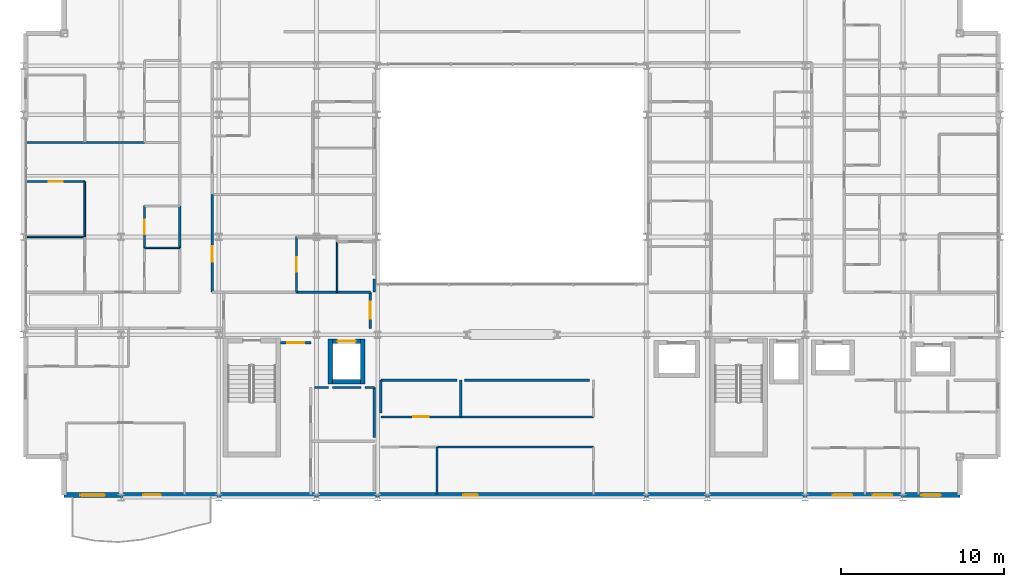
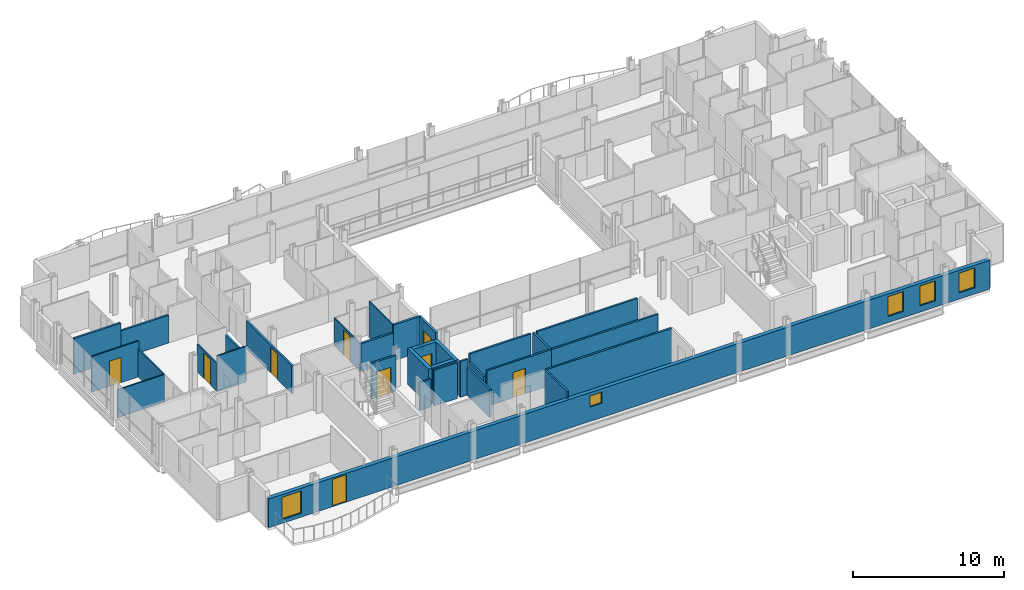
# One storey, part 32 of 40: 33 walls, 9 doors, 5 windows, 14 openings.
"""IFC4 building model written with IfcOpenShell, lengths in metres."""

from ifc_helpers import new_model, si_unit, direction, frame, frame_2d, origin, place, context, subcontext, project, spatial, rectangle, extrude, material, layer, layer_set, type_object, element, fill, save


model = new_model("IFC4")

# Units and contexts
model_context = context("Model", 3, precision=1e-05, world=origin(), true_north=direction((0.0, 1.0)))
body_context = subcontext(model_context, "Body", "Model", "MODEL_VIEW")
ifc_project = project(units=[si_unit("LENGTHUNIT", "METRE"), si_unit("AREAUNIT", "SQUARE_METRE"), si_unit("VOLUMEUNIT", "CUBIC_METRE"), si_unit("PLANEANGLEUNIT", "RADIAN"), si_unit("MASSUNIT", "GRAM", prefix="KILO")], contexts=[model_context])

# Site, building, storey
site_placement = place(None, origin())
site = spatial("IfcSite", under=ifc_project, at=site_placement, CompositionType="ELEMENT")
building_placement = place(site_placement, origin())
building = spatial("IfcBuilding", under=site, at=building_placement, Name="Brevholm Reach", CompositionType="ELEMENT")
storey_placement = place(building_placement, frame((0.0, 0.0, 119.0)))
storey = spatial("IfcBuildingStorey", under=building, at=storey_placement, Name="L35", CompositionType="ELEMENT", Elevation=119.0)

# Walls
ifc_material_1 = material(Name="Concrete C50/60", Category="concrete")
ifc_layer_1 = layer(ifc_material_1, 0.280029296875)
ifc_layer_set_1 = layer_set([ifc_layer_1], Name="Concrete C50/60")
wall_type_1 = type_object("IfcWallType", Name="WAL-COR-280", PredefinedType="SHEAR", material=ifc_layer_set_1)
for number, where, z_axis, x_axis, name in (
    (1, (18.85009765625, 6.9599609375, 0.0), (0.0, 0.0, 1.0), (0.0, 1.0, 0.0), "L35 Lift FFL-1 Shaft Wall W"),
    (2, (20.85009765625, 6.9599609375, 0.0), (0.0, 0.0, 1.0), (0.0, 1.0, 0.0), "L35 Lift FFL-1 Shaft Wall E"),
):
    element("IfcWall", number, at=place(storey_placement, frame(where, z_axis=z_axis, x_axis=x_axis)), inside=storey, type_object=wall_type_1, Name=name, PredefinedType="SHEAR", context=body_context, shape_type="SweptSolid", body=[
        extrude(rectangle(XDim=2.780029296875, YDim=0.280029296875, at=frame_2d((1.39013671875, 0.0))), origin(), (0.0, 0.0, 1.0), 2.8798828125),
    ])
wall_1_placement = place(storey_placement, frame((18.989990234375, 7.10009765625, 0.0), z_axis=(0.0, 0.0, 1.0), x_axis=(1.0, 0.0, 0.0)))
element("IfcWall", 3, at=wall_1_placement, inside=storey, type_object=wall_type_1, Name="L35 Lift FFL-1 Shaft Wall S", PredefinedType="SHEAR", context=body_context, shape_type="SweptSolid", body=[
    extrude(rectangle(XDim=1.719970703125, YDim=0.280029296875, at=frame_2d((0.85986328125, 0.0))), origin(), (0.0, 0.0, 1.0), 2.8798828125),
])

# Wall, opening, door
wall_2_placement = place(storey_placement, frame((18.989990234375, 9.60009765625, 0.0), z_axis=(0.0, 0.0, 1.0), x_axis=(1.0, 0.0, 0.0)))
wall_2 = element("IfcWall", 4, at=wall_2_placement, inside=storey, type_object=wall_type_1, Name="L35 Lift FFL-1 Shaft Wall N", PredefinedType="SHEAR", context=body_context, shape_type="SweptSolid", body=[
    extrude(rectangle(XDim=1.719970703125, YDim=0.280029296875, at=frame_2d((0.85986328125, 0.0))), origin(), (0.0, 0.0, 1.0), 2.8798828125),
])
opening_1_placement = place(wall_2_placement, frame((0.31005859375, 0.0, 0.0)))
opening_1 = element("IfcOpeningElement", 5, at=opening_1_placement, cuts=wall_2, Name="Opening LD-FFL-1", PredefinedType="OPENING", context=body_context, shape_type="SweptSolid", body=[
    extrude(rectangle(XDim=1.10009765625, YDim=2.06005859375, at=frame_2d((0.550048828125, 1.030029296875))), frame((0.0, 0.14990234375, 0.0), z_axis=(0.0, -1.0, 0.0), x_axis=(1.0, 0.0, 0.0)), (0.0, 0.0, 1.0), 0.300048828125),
])
ifc_material_2 = material(Name="Brushed Stainless Steel Fire-Rated Sliding Lift Door", Category="steel")
door_type_1 = type_object("IfcDoorType", Name="DOR-LFT-1100", OperationType="NOTDEFINED", PredefinedType="DOOR", material=ifc_material_2)
door_1_placement = place(opening_1_placement, origin())
door_1 = element("IfcDoor", 6, at=door_1_placement, inside=storey, type_object=door_type_1, Name="L35 Lift FFL-1 Sliding Landing Door", OperationType="SLIDING_TO_LEFT", OverallHeight=2.06005859375, OverallWidth=1.10009765625, PredefinedType="DOOR", context=body_context, shape_type="SweptSolid", body=[
    extrude(rectangle(XDim=1.10009765625, YDim=2.06005859375, at=frame_2d((0.550048828125, 1.030029296875))), frame((0.0, 0.02490234375, 0.0), z_axis=(0.0, -1.0, 0.0), x_axis=(1.0, 0.0, 0.0)), (0.0, 0.0, 1.0), 0.050048828125),
])
fill(opening_1, door_1)

# Wall, openings, door, windows
ifc_material_3 = material(Name="Concrete C40/50", Category="concrete")
ifc_layer_2 = layer(ifc_material_3, 0.300048828125)
ifc_layer_set_2 = layer_set([ifc_layer_2], Name="Concrete C40/50")
wall_type_2 = type_object("IfcWallType", Name="WAL-EXT-300", PredefinedType="STANDARD", material=ifc_layer_set_2)
wall_3_placement = place(storey_placement, frame((2.5, 0.14990234375, 0.0), z_axis=(0.0, 0.0, 1.0), x_axis=(1.0, 0.0, 0.0)))
wall_3 = element("IfcWall", 7, at=wall_3_placement, inside=storey, type_object=wall_type_2, Name="L35 Facade Wall WAL-L35-S", PredefinedType="STANDARD", context=body_context, shape_type="SweptSolid", body=[
    extrude(rectangle(XDim=55.0, YDim=0.300048828125, at=frame_2d((27.5, 0.0))), origin(), (0.0, 0.0, 1.0), 2.322021484375),
])
opening_2_placement = place(wall_3_placement, frame((4.85009765625, 0.0, 0.0)))
opening_2 = element("IfcOpeningElement", 8, at=opening_2_placement, cuts=wall_3, Name="Opening BD-01", PredefinedType="OPENING", context=body_context, shape_type="SweptSolid", body=[
    extrude(rectangle(XDim=1.10009765625, YDim=2.199951171875, at=frame_2d((0.550048828125, 1.10009765625))), frame((0.0, 0.159912109375, 0.0), z_axis=(0.0, -1.0, 0.0), x_axis=(1.0, 0.0, 0.0)), (0.0, 0.0, 1.0), 0.320068359375),
])
opening_3_placement = place(wall_3_placement, frame((1.0, 0.0, 0.302001953125)))
opening_3 = element("IfcOpeningElement", 9, at=opening_3_placement, cuts=wall_3, Name="Opening WN-05", PredefinedType="OPENING", context=body_context, shape_type="SweptSolid", body=[
    extrude(rectangle(XDim=1.5, YDim=1.800048828125, at=frame_2d((0.75, 0.89990234375))), frame((0.0, 0.159912109375, 0.0), z_axis=(0.0, -1.0, 0.0), x_axis=(1.0, 0.0, 0.0)), (0.0, 0.0, 1.0), 0.320068359375),
])
opening_4_placement = place(wall_3_placement, frame((24.5, 0.0, 1.14990234375)))
opening_4 = element("IfcOpeningElement", 10, at=opening_4_placement, cuts=wall_3, Name="Opening WN-09", PredefinedType="OPENING", context=body_context, shape_type="SweptSolid", body=[
    extrude(rectangle(XDim=0.89990234375, YDim=0.89990234375, at=frame_2d((0.449951171875, 0.449951171875))), frame((0.0, 0.159912109375, 0.0), z_axis=(0.0, -1.0, 0.0), x_axis=(1.0, 0.0, 0.0)), (0.0, 0.0, 1.0), 0.320068359375),
])
opening_5_placement = place(wall_3_placement, frame((47.199951171875, 0.0, 0.501953125)))
opening_5 = element("IfcOpeningElement", 11, at=opening_5_placement, cuts=wall_3, Name="Opening WN-08", PredefinedType="OPENING", context=body_context, shape_type="SweptSolid", body=[
    extrude(rectangle(XDim=1.199951171875, YDim=1.60009765625, at=frame_2d((0.60009765625, 0.800048828125))), frame((0.0, 0.159912109375, 0.0), z_axis=(0.0, -1.0, 0.0), x_axis=(1.0, 0.0, 0.0)), (0.0, 0.0, 1.0), 0.320068359375),
])
opening_6_placement = place(wall_3_placement, frame((52.6298828125, 0.0, 0.501953125)))
opening_6 = element("IfcOpeningElement", 12, at=opening_6_placement, cuts=wall_3, Name="Opening WN-08", PredefinedType="OPENING", context=body_context, shape_type="SweptSolid", body=[
    extrude(rectangle(XDim=1.199951171875, YDim=1.60009765625, at=frame_2d((0.60009765625, 0.800048828125))), frame((0.0, 0.159912109375, 0.0), z_axis=(0.0, -1.0, 0.0), x_axis=(1.0, 0.0, 0.0)), (0.0, 0.0, 1.0), 0.320068359375),
])
opening_7_placement = place(wall_3_placement, frame((49.643310546875, 0.0, 0.501953125)))
opening_7 = element("IfcOpeningElement", 13, at=opening_7_placement, cuts=wall_3, Name="Opening WN-08", PredefinedType="OPENING", context=body_context, shape_type="SweptSolid", body=[
    extrude(rectangle(XDim=1.199951171875, YDim=1.60009765625, at=frame_2d((0.60009765625, 0.800048828125))), frame((0.0, 0.159912109375, 0.0), z_axis=(0.0, -1.0, 0.0), x_axis=(1.0, 0.0, 0.0)), (0.0, 0.0, 1.0), 0.320068359375),
])
ifc_material_4 = material(Name="Dark Anodised Aluminium and Triple-Glazed Glass", Category="aluminium")
door_type_2 = type_object("IfcDoorType", Name="DOR-BALC-1100", OperationType="NOTDEFINED", PredefinedType="DOOR", material=ifc_material_4)
door_2_placement = place(opening_2_placement, origin())
door_2 = element("IfcDoor", 14, at=door_2_placement, inside=storey, type_object=door_type_2, Name="L35 Exterior Door DOR-L35-BL-SW", OperationType="SINGLE_SWING_RIGHT", OverallHeight=2.199951171875, OverallWidth=1.10009765625, PredefinedType="DOOR", context=body_context, shape_type="SweptSolid", body=[
    extrude(rectangle(XDim=1.10009765625, YDim=2.199951171875, at=frame_2d((0.550048828125, 1.10009765625))), frame((0.0, 0.02490234375, 0.0), z_axis=(0.0, -1.0, 0.0), x_axis=(1.0, 0.0, 0.0)), (0.0, 0.0, 1.0), 0.050048828125),
])
fill(opening_2, door_2)
ifc_material_5 = material(Name="Dark Anodised Aluminium and Solar-Control IGU Glass", Category="aluminium")
window_type_1 = type_object("IfcWindowType", Name="WIN-POR-0900", PartitioningType="SINGLE_PANEL", PredefinedType="WINDOW", material=ifc_material_5)
window_1_placement = place(opening_4_placement, origin())
window_1 = element("IfcWindow", 15, at=window_1_placement, inside=storey, type_object=window_type_1, Name="L35 Window WIN-L35-S-POR", OverallHeight=0.89990234375, OverallWidth=0.89990234375, PartitioningType="SINGLE_PANEL", PredefinedType="WINDOW", context=body_context, shape_type="SweptSolid", body=[
    extrude(rectangle(XDim=0.89990234375, YDim=0.89990234375, at=frame_2d((0.449951171875, 0.449951171875))), frame((0.0, 0.030029296875, 0.0), z_axis=(0.0, -1.0, 0.0), x_axis=(1.0, 0.0, 0.0)), (0.0, 0.0, 1.0), 0.06005859375),
])
fill(opening_4, window_1)
ifc_material_6 = material(Name="Dark Anodised Aluminium and Solar-Control IGU Glass", Category="aluminium")
window_type_2 = type_object("IfcWindowType", Name="WIN-RES-1200", PartitioningType="SINGLE_PANEL", PredefinedType="WINDOW", material=ifc_material_6)
window_2_placement = place(opening_5_placement, origin())
window_2 = element("IfcWindow", 16, at=window_2_placement, inside=storey, type_object=window_type_2, Name="L35 Window WIN-L35-S-E1", OverallHeight=1.60009765625, OverallWidth=1.199951171875, PartitioningType="SINGLE_PANEL", PredefinedType="WINDOW", context=body_context, shape_type="SweptSolid", body=[
    extrude(rectangle(XDim=1.199951171875, YDim=1.60009765625, at=frame_2d((0.60009765625, 0.800048828125))), frame((0.0, 0.030029296875, 0.0), z_axis=(0.0, -1.0, 0.0), x_axis=(1.0, 0.0, 0.0)), (0.0, 0.0, 1.0), 0.06005859375),
])
fill(opening_5, window_2)
window_3_placement = place(opening_6_placement, origin())
window_3 = element("IfcWindow", 17, at=window_3_placement, inside=storey, type_object=window_type_2, Name="L35 Window WIN-L35-S-E2", OverallHeight=1.60009765625, OverallWidth=1.199951171875, PartitioningType="SINGLE_PANEL", PredefinedType="WINDOW", context=body_context, shape_type="SweptSolid", body=[
    extrude(rectangle(XDim=1.199951171875, YDim=1.60009765625, at=frame_2d((0.60009765625, 0.800048828125))), frame((0.0, 0.030029296875, 0.0), z_axis=(0.0, -1.0, 0.0), x_axis=(1.0, 0.0, 0.0)), (0.0, 0.0, 1.0), 0.06005859375),
])
fill(opening_6, window_3)
window_4_placement = place(opening_7_placement, origin())
window_4 = element("IfcWindow", 18, at=window_4_placement, inside=storey, type_object=window_type_2, Name="L35 Bedroom Window 040", OverallHeight=1.60009765625, OverallWidth=1.199951171875, PartitioningType="SINGLE_PANEL", PredefinedType="WINDOW", context=body_context, shape_type="SweptSolid", body=[
    extrude(rectangle(XDim=1.199951171875, YDim=1.60009765625, at=frame_2d((0.60009765625, 0.800048828125))), frame((0.0, 0.030029296875, 0.0), z_axis=(0.0, -1.0, 0.0), x_axis=(1.0, 0.0, 0.0)), (0.0, 0.0, 1.0), 0.06005859375),
])
fill(opening_7, window_4)
ifc_material_7 = material(Name="Dark Anodised Aluminium and Solar-Control IGU Glass", Category="aluminium")
window_type_3 = type_object("IfcWindowType", Name="WIN-RES-1500", PartitioningType="SINGLE_PANEL", PredefinedType="WINDOW", material=ifc_material_7)
window_5_placement = place(opening_3_placement, origin())
window_5 = element("IfcWindow", 19, at=window_5_placement, inside=storey, type_object=window_type_3, Name="L35 Window WIN-L35-S-W1", OverallHeight=1.800048828125, OverallWidth=1.5, PartitioningType="SINGLE_PANEL", PredefinedType="WINDOW", context=body_context, shape_type="SweptSolid", body=[
    extrude(rectangle(XDim=1.5, YDim=1.800048828125, at=frame_2d((0.75, 0.89990234375))), frame((0.0, 0.030029296875, 0.0), z_axis=(0.0, -1.0, 0.0), x_axis=(1.0, 0.0, 0.0)), (0.0, 0.0, 1.0), 0.06005859375),
])
fill(opening_3, window_5)

# Wall
ifc_material_8 = material(Name="Moisture-Resistant Acoustic Gypsum Stud Partition 100 mm", Category="gypsum")
ifc_layer_3 = layer(ifc_material_8, 0.10009765625)
ifc_layer_set_3 = layer_set([ifc_layer_3], Name="Moisture-Resistant Acoustic Gypsum Stud Partition 100 mm")
wall_type_3 = type_object("IfcWallType", Name="WAL-PRT-100", PredefinedType="PARTITIONING", material=ifc_layer_set_3)
wall_4_placement = place(storey_placement, frame((7.43798828125, 15.323974609375, 0.0), z_axis=(0.0, 0.0, 1.0), x_axis=(1.0, 0.0, 0.0)))
element("IfcWall", 20, at=wall_4_placement, inside=storey, type_object=wall_type_3, Name="L35 Internal Partition 088", PredefinedType="PARTITIONING", context=body_context, shape_type="SweptSolid", body=[
    extrude(rectangle(XDim=2.157958984375, YDim=0.10009765625, at=frame_2d((1.0791015625, 0.0))), origin(), (0.0, 0.0, 1.0), 2.8798828125),
])

# Wall, opening, door
wall_5_placement = place(storey_placement, frame((7.43798828125, 15.327880859375, 0.0), z_axis=(0.0, 0.0, 1.0), x_axis=(0.0, 1.0, 0.0)))
wall_5 = element("IfcWall", 21, at=wall_5_placement, inside=storey, type_object=wall_type_3, Name="L35 Internal Partition 091", PredefinedType="PARTITIONING", context=body_context, shape_type="SweptSolid", body=[
    extrude(rectangle(XDim=2.572021484375, YDim=0.10009765625, at=frame_2d((1.2861328125, 0.0))), origin(), (0.0, 0.0, 1.0), 2.242919921875),
])
opening_8_placement = place(wall_5_placement, frame((0.845947265625, 0.0, 0.0)))
opening_8 = element("IfcOpeningElement", 22, at=opening_8_placement, cuts=wall_5, Name="Opening ID-01", PredefinedType="OPENING", context=body_context, shape_type="SweptSolid", body=[
    extrude(rectangle(XDim=0.8798828125, YDim=2.0400390625, at=frame_2d((0.43994140625, 1.02001953125))), frame((0.0, 0.06005859375, 0.0), z_axis=(0.0, -1.0, 0.0), x_axis=(1.0, 0.0, 0.0)), (0.0, 0.0, 1.0), 0.1201171875),
])
ifc_material_9 = material(Name="Lacquered Ash Solid-Core Acoustic Internal Door", Category="timber")
door_type_3 = type_object("IfcDoorType", Name="DOR-INT-880", OperationType="NOTDEFINED", PredefinedType="DOOR", material=ifc_material_9)
door_3_placement = place(opening_8_placement, origin())
door_3 = element("IfcDoor", 23, at=door_3_placement, inside=storey, type_object=door_type_3, Name="L35 Internal Door 034", OperationType="SINGLE_SWING_RIGHT", OverallHeight=2.0400390625, OverallWidth=0.8798828125, PredefinedType="DOOR", context=body_context, shape_type="SweptSolid", body=[
    extrude(rectangle(XDim=0.8798828125, YDim=2.0400390625, at=frame_2d((0.43994140625, 1.02001953125))), frame((0.0, 0.02490234375, 0.0), z_axis=(0.0, -1.0, 0.0), x_axis=(1.0, 0.0, 0.0)), (0.0, 0.0, 1.0), 0.050048828125),
])
fill(opening_8, door_3)

# Walls
wall_6_placement = place(storey_placement, frame((0.199951171875, 16.0, 0.0), z_axis=(0.0, 0.0, 1.0), x_axis=(1.0, 0.0, 0.0)))
element("IfcWall", 24, at=wall_6_placement, inside=storey, type_object=wall_type_3, Name="L35 Internal Partition 092", PredefinedType="PARTITIONING", context=body_context, shape_type="SweptSolid", body=[
    extrude(rectangle(XDim=3.572021484375, YDim=0.10009765625, at=frame_2d((1.7861328125, 0.0))), origin(), (0.0, 0.0, 1.0), 2.242919921875),
])
wall_7_placement = place(storey_placement, frame((3.77197265625, 16.00390625, 0.0), z_axis=(0.0, 0.0, 1.0), x_axis=(0.0, 1.0, 0.0)))
element("IfcWall", 25, at=wall_7_placement, inside=storey, type_object=wall_type_3, Name="L35 Internal Partition 094", PredefinedType="PARTITIONING", context=body_context, shape_type="SweptSolid", body=[
    extrude(rectangle(XDim=3.39599609375, YDim=0.10009765625, at=frame_2d((1.697998046875, 0.0))), origin(), (0.0, 0.0, 1.0), 2.242919921875),
])

# Wall, opening, door
wall_8_placement = place(storey_placement, frame((0.199951171875, 19.39990234375, 0.0), z_axis=(0.0, 0.0, 1.0), x_axis=(1.0, 0.0, 0.0)))
wall_8 = element("IfcWall", 26, at=wall_8_placement, inside=storey, type_object=wall_type_3, Name="L35 Internal Partition 095", PredefinedType="PARTITIONING", context=body_context, shape_type="SweptSolid", body=[
    extrude(rectangle(XDim=3.572021484375, YDim=0.10009765625, at=frame_2d((1.7861328125, 0.0))), origin(), (0.0, 0.0, 1.0), 2.8798828125),
])
opening_9_placement = place(wall_8_placement, frame((1.345947265625, 0.0, 0.0)))
opening_9 = element("IfcOpeningElement", 27, at=opening_9_placement, cuts=wall_8, Name="Opening ID-01", PredefinedType="OPENING", context=body_context, shape_type="SweptSolid", body=[
    extrude(rectangle(XDim=0.8798828125, YDim=2.0400390625, at=frame_2d((0.43994140625, 1.02001953125))), frame((0.0, 0.06005859375, 0.0), z_axis=(0.0, -1.0, 0.0), x_axis=(1.0, 0.0, 0.0)), (0.0, 0.0, 1.0), 0.1201171875),
])
door_4_placement = place(opening_9_placement, origin())
door_4 = element("IfcDoor", 28, at=door_4_placement, inside=storey, type_object=door_type_3, Name="L35 Internal Door 036", OperationType="SINGLE_SWING_RIGHT", OverallHeight=2.0400390625, OverallWidth=0.8798828125, PredefinedType="DOOR", context=body_context, shape_type="SweptSolid", body=[
    extrude(rectangle(XDim=0.8798828125, YDim=2.0400390625, at=frame_2d((0.43994140625, 1.02001953125))), frame((0.0, 0.02490234375, 0.0), z_axis=(0.0, -1.0, 0.0), x_axis=(1.0, 0.0, 0.0)), (0.0, 0.0, 1.0), 0.050048828125),
])
fill(opening_9, door_4)

# Wall
wall_9_placement = place(storey_placement, frame((19.260986328125, 12.60400390625, 0.0), z_axis=(0.0, 0.0, 1.0), x_axis=(0.0, 1.0, 0.0)))
element("IfcWall", 29, at=wall_9_placement, inside=storey, type_object=wall_type_3, Name="L35 Internal Partition 105", PredefinedType="PARTITIONING", context=body_context, shape_type="SweptSolid", body=[
    extrude(rectangle(XDim=3.095947265625, YDim=0.10009765625, at=frame_2d((1.5478515625, 0.0))), origin(), (0.0, 0.0, 1.0), 2.8798828125),
])

# Wall, opening, door
wall_10_placement = place(storey_placement, frame((16.77294921875, 12.60400390625, 0.0), z_axis=(0.0, 0.0, 1.0), x_axis=(0.0, 1.0, 0.0)))
wall_10 = element("IfcWall", 30, at=wall_10_placement, inside=storey, type_object=wall_type_3, Name="L35 Internal Partition 109", PredefinedType="PARTITIONING", context=body_context, shape_type="SweptSolid", body=[
    extrude(rectangle(XDim=3.39599609375, YDim=0.10009765625, at=frame_2d((1.697998046875, 0.0))), origin(), (0.0, 0.0, 1.0), 2.242919921875),
])
opening_10_placement = place(wall_10_placement, frame((1.258056640625, 0.0, 0.0)))
opening_10 = element("IfcOpeningElement", 31, at=opening_10_placement, cuts=wall_10, Name="Opening ID-01", PredefinedType="OPENING", context=body_context, shape_type="SweptSolid", body=[
    extrude(rectangle(XDim=0.8798828125, YDim=2.0400390625, at=frame_2d((0.43994140625, 1.02001953125))), frame((0.0, 0.06005859375, 0.0), z_axis=(0.0, -1.0, 0.0), x_axis=(1.0, 0.0, 0.0)), (0.0, 0.0, 1.0), 0.1201171875),
])
door_5_placement = place(opening_10_placement, origin())
door_5 = element("IfcDoor", 32, at=door_5_placement, inside=storey, type_object=door_type_3, Name="L35 Internal Door 041", OperationType="SINGLE_SWING_LEFT", OverallHeight=2.0400390625, OverallWidth=0.8798828125, PredefinedType="DOOR", context=body_context, shape_type="SweptSolid", body=[
    extrude(rectangle(XDim=0.8798828125, YDim=2.0400390625, at=frame_2d((0.43994140625, 1.02001953125))), frame((0.0, 0.02490234375, 0.0), z_axis=(0.0, -1.0, 0.0), x_axis=(1.0, 0.0, 0.0)), (0.0, 0.0, 1.0), 0.050048828125),
])
fill(opening_10, door_5)

# Wall
ifc_material_10 = material(Name="Twin-Stud Acoustic Fire-Rated Gypsum Partition 140 mm", Category="gypsum")
ifc_layer_4 = layer(ifc_material_10, 0.139892578125)
ifc_layer_set_4 = layer_set([ifc_layer_4], Name="Twin-Stud Acoustic Fire-Rated Gypsum Partition 140 mm")
wall_type_4 = type_object("IfcWallType", Name="WAL-PRT-140", PredefinedType="PARTITIONING", material=ifc_layer_set_4)
wall_11_placement = place(storey_placement, frame((25.392578125, 3.10009765625, 0.0), z_axis=(0.0, 0.0, 1.0), x_axis=(1.0, 0.0, 0.0)))
element("IfcWall", 33, at=wall_11_placement, inside=storey, type_object=wall_type_4, Name="L35 Internal Partition 004", PredefinedType="PARTITIONING", context=body_context, shape_type="SweptSolid", body=[
    extrude(rectangle(XDim=9.603515625, YDim=0.139892578125, at=frame_2d((4.8017578125, 0.0))), origin(), (0.0, 0.0, 1.0), 2.8798828125),
])

# Wall, opening, door
wall_12_placement = place(storey_placement, frame((21.949951171875, 4.949951171875, 0.0), z_axis=(0.0, 0.0, 1.0), x_axis=(1.0, 0.0, 0.0)))
wall_12 = element("IfcWall", 34, at=wall_12_placement, inside=storey, type_object=wall_type_4, Name="L35 Internal Partition 005", PredefinedType="PARTITIONING", context=body_context, shape_type="SweptSolid", body=[
    extrude(rectangle(XDim=4.911376953125, YDim=0.139892578125, at=frame_2d((2.45556640625, 0.0))), origin(), (0.0, 0.0, 1.0), 2.8798828125),
])
opening_11_placement = place(wall_12_placement, frame((1.980712890625, 0.0, 0.0)))
opening_11 = element("IfcOpeningElement", 35, at=opening_11_placement, cuts=wall_12, Name="Opening ID-30", PredefinedType="OPENING", context=body_context, shape_type="SweptSolid", body=[
    extrude(rectangle(XDim=0.949951171875, YDim=2.050048828125, at=frame_2d((0.47509765625, 1.02490234375))), frame((0.0, 0.079833984375, 0.0), z_axis=(0.0, -1.0, 0.0), x_axis=(1.0, 0.0, 0.0)), (0.0, 0.0, 1.0), 0.159912109375),
])
ifc_material_11 = material(Name="European Oak Veneered Solid-Core Fire Entrance Door", Category="timber")
door_type_4 = type_object("IfcDoorType", Name="DOR-FLT-FD30S", OperationType="NOTDEFINED", PredefinedType="DOOR", material=ifc_material_11)
door_6_placement = place(opening_11_placement, origin())
door_6 = element("IfcDoor", 36, at=door_6_placement, inside=storey, type_object=door_type_4, Name="L35 Internal Door 004", OperationType="SINGLE_SWING_RIGHT", OverallHeight=2.050048828125, OverallWidth=0.949951171875, PredefinedType="DOOR", context=body_context, shape_type="SweptSolid", body=[
    extrude(rectangle(XDim=0.949951171875, YDim=2.050048828125, at=frame_2d((0.47509765625, 1.02490234375))), frame((0.0, 0.02490234375, 0.0), z_axis=(0.0, -1.0, 0.0), x_axis=(1.0, 0.0, 0.0)), (0.0, 0.0, 1.0), 0.050048828125),
])
fill(opening_11, door_6)

# Walls
wall_13_placement = place(storey_placement, frame((26.8427734375, 4.949951171875, 0.0), z_axis=(0.0, 0.0, 1.0), x_axis=(1.0, 0.0, 0.0)))
element("IfcWall", 37, at=wall_13_placement, inside=storey, type_object=wall_type_4, Name="L35 Internal Partition 006", PredefinedType="PARTITIONING", context=body_context, shape_type="SweptSolid", body=[
    extrude(rectangle(XDim=8.1533203125, YDim=0.139892578125, at=frame_2d((4.07666015625, 0.0))), origin(), (0.0, 0.0, 1.0), 2.8798828125),
])
wall_14_placement = place(storey_placement, frame((25.39990234375, 0.179931640625, 0.0), z_axis=(0.0, 0.0, 1.0), x_axis=(0.0, 1.0, 0.0)))
element("IfcWall", 38, at=wall_14_placement, inside=storey, type_object=wall_type_4, Name="L35 Internal Partition 007", PredefinedType="PARTITIONING", context=body_context, shape_type="SweptSolid", body=[
    extrude(rectangle(XDim=2.916015625, YDim=0.139892578125, at=frame_2d((1.4580078125, 0.0))), origin(), (0.0, 0.0, 1.0), 2.8798828125),
])
wall_15_placement = place(storey_placement, frame((26.85009765625, 4.9541015625, 0.0), z_axis=(0.0, 0.0, 1.0), x_axis=(0.0, 1.0, 0.0)))
element("IfcWall", 39, at=wall_15_placement, inside=storey, type_object=wall_type_4, Name="L35 Internal Partition 008", PredefinedType="PARTITIONING", context=body_context, shape_type="SweptSolid", body=[
    extrude(rectangle(XDim=2.245849609375, YDim=0.139892578125, at=frame_2d((1.123046875, 0.0))), origin(), (0.0, 0.0, 1.0), 2.8798828125),
])
wall_16_placement = place(storey_placement, frame((9.60009765625, 15.316650390625, 0.0), z_axis=(0.0, 0.0, 1.0), x_axis=(0.0, 1.0, 0.0)))
element("IfcWall", 40, at=wall_16_placement, inside=storey, type_object=wall_type_4, Name="L35 Internal Partition 037", PredefinedType="PARTITIONING", context=body_context, shape_type="SweptSolid", body=[
    extrude(rectangle(XDim=2.5947265625, YDim=0.139892578125, at=frame_2d((1.29736328125, 0.0))), origin(), (0.0, 0.0, 1.0), 2.242919921875),
])

# Wall, opening, door
wall_17_placement = place(storey_placement, frame((11.60009765625, 12.60400390625, 0.0), z_axis=(0.0, 0.0, 1.0), x_axis=(0.0, 1.0, 0.0)))
wall_17 = element("IfcWall", 41, at=wall_17_placement, inside=storey, type_object=wall_type_4, Name="L35 Internal Partition 042", PredefinedType="PARTITIONING", context=body_context, shape_type="SweptSolid", body=[
    extrude(rectangle(XDim=6.00732421875, YDim=0.139892578125, at=frame_2d((3.003662109375, 0.0))), origin(), (0.0, 0.0, 1.0), 2.242919921875),
])
opening_12_placement = place(wall_17_placement, frame((1.86865234375, 0.0, 0.0)))
opening_12 = element("IfcOpeningElement", 42, at=opening_12_placement, cuts=wall_17, Name="Opening ID-30", PredefinedType="OPENING", context=body_context, shape_type="SweptSolid", body=[
    extrude(rectangle(XDim=0.949951171875, YDim=2.050048828125, at=frame_2d((0.47509765625, 1.02490234375))), frame((0.0, 0.079833984375, 0.0), z_axis=(0.0, -1.0, 0.0), x_axis=(1.0, 0.0, 0.0)), (0.0, 0.0, 1.0), 0.159912109375),
])
door_7_placement = place(opening_12_placement, origin())
door_7 = element("IfcDoor", 43, at=door_7_placement, inside=storey, type_object=door_type_4, Name="L35 Internal Door 019", OperationType="SINGLE_SWING_LEFT", OverallHeight=2.050048828125, OverallWidth=0.949951171875, PredefinedType="DOOR", context=body_context, shape_type="SweptSolid", body=[
    extrude(rectangle(XDim=0.949951171875, YDim=2.050048828125, at=frame_2d((0.47509765625, 1.02490234375))), frame((0.0, 0.02490234375, 0.0), z_axis=(0.0, -1.0, 0.0), x_axis=(1.0, 0.0, 0.0)), (0.0, 0.0, 1.0), 0.050048828125),
])
fill(opening_12, door_7)

# Walls
wall_18_placement = place(storey_placement, frame((0.199951171875, 21.800048828125, 0.0), z_axis=(0.0, 0.0, 1.0), x_axis=(1.0, 0.0, 0.0)))
element("IfcWall", 44, at=wall_18_placement, inside=storey, type_object=wall_type_4, Name="L35 Internal Partition 097", PredefinedType="PARTITIONING", context=body_context, shape_type="SweptSolid", body=[
    extrude(rectangle(XDim=3.583251953125, YDim=0.139892578125, at=frame_2d((1.79150390625, 0.0))), origin(), (0.0, 0.0, 1.0), 2.8798828125),
])
wall_19_placement = place(storey_placement, frame((3.7646484375, 21.800048828125, 0.0), z_axis=(0.0, 0.0, 1.0), x_axis=(1.0, 0.0, 0.0)))
element("IfcWall", 45, at=wall_19_placement, inside=storey, type_object=wall_type_4, Name="L35 Internal Partition 098", PredefinedType="PARTITIONING", context=body_context, shape_type="SweptSolid", body=[
    extrude(rectangle(XDim=3.6806640625, YDim=0.139892578125, at=frame_2d((1.84033203125, 0.0))), origin(), (0.0, 0.0, 1.0), 2.242919921875),
])
wall_20_placement = place(storey_placement, frame((21.949951171875, 7.199951171875, 0.0), z_axis=(0.0, 0.0, 1.0), x_axis=(1.0, 0.0, 0.0)))
element("IfcWall", 46, at=wall_20_placement, inside=storey, type_object=wall_type_4, Name="L35 Internal Partition 161", PredefinedType="PARTITIONING", context=body_context, shape_type="SweptSolid", body=[
    extrude(rectangle(XDim=4.66015625, YDim=0.139892578125, at=frame_2d((2.330078125, 0.0))), origin(), (0.0, 0.0, 1.0), 2.8798828125),
])
wall_21_placement = place(storey_placement, frame((21.949951171875, 5.18994140625, 0.0), z_axis=(0.0, 0.0, 1.0), x_axis=(0.0, 1.0, 0.0)))
element("IfcWall", 47, at=wall_21_placement, inside=storey, type_object=wall_type_4, Name="L35 Internal Partition 162", PredefinedType="PARTITIONING", context=body_context, shape_type="SweptSolid", body=[
    extrude(rectangle(XDim=2.010009765625, YDim=0.139892578125, at=frame_2d((1.0048828125, 0.0))), origin(), (0.0, 0.0, 1.0), 2.242919921875),
])
wall_22_placement = place(storey_placement, frame((27.090087890625, 7.199951171875, 0.0), z_axis=(0.0, 0.0, 1.0), x_axis=(1.0, 0.0, 0.0)))
element("IfcWall", 48, at=wall_22_placement, inside=storey, type_object=wall_type_4, Name="L35 Internal Partition 163", PredefinedType="PARTITIONING", context=body_context, shape_type="SweptSolid", body=[
    extrude(rectangle(XDim=7.669921875, YDim=0.139892578125, at=frame_2d((3.8349609375, 0.0))), origin(), (0.0, 0.0, 1.0), 2.8798828125),
])
wall_23_placement = place(storey_placement, frame((21.550048828125, 3.68994140625, 0.0), z_axis=(0.0, 0.0, 1.0), x_axis=(0.0, 1.0, 0.0)))
element("IfcWall", 49, at=wall_23_placement, inside=storey, type_object=wall_type_4, Name="L35 Internal Partition 165", PredefinedType="PARTITIONING", context=body_context, shape_type="SweptSolid", body=[
    extrude(rectangle(XDim=3.06005859375, YDim=0.139892578125, at=frame_2d((1.530029296875, 0.0))), origin(), (0.0, 0.0, 1.0), 2.242919921875),
])
wall_24_placement = place(storey_placement, frame((20.9658203125, 6.75, 0.0), z_axis=(0.0, 0.0, 1.0), x_axis=(1.0, 0.0, 0.0)))
element("IfcWall", 50, at=wall_24_placement, inside=storey, type_object=wall_type_4, Name="L35 Internal Partition 166", PredefinedType="PARTITIONING", context=body_context, shape_type="SweptSolid", body=[
    extrude(rectangle(XDim=0.584228515625, YDim=0.139892578125, at=frame_2d((0.2919921875, 0.0))), origin(), (0.0, 0.0, 1.0), 2.8798828125),
])
wall_25_placement = place(storey_placement, frame((18.9658203125, 6.75, 0.0), z_axis=(0.0, 0.0, 1.0), x_axis=(1.0, 0.0, 0.0)))
element("IfcWall", 51, at=wall_25_placement, inside=storey, type_object=wall_type_4, Name="L35 Internal Partition 167", PredefinedType="PARTITIONING", context=body_context, shape_type="SweptSolid", body=[
    extrude(rectangle(XDim=1.768310546875, YDim=0.139892578125, at=frame_2d((0.88427734375, 0.0))), origin(), (0.0, 0.0, 1.0), 2.8798828125),
])
wall_26_placement = place(storey_placement, frame((17.889892578125, 6.75, 0.0), z_axis=(0.0, 0.0, 1.0), x_axis=(1.0, 0.0, 0.0)))
element("IfcWall", 52, at=wall_26_placement, inside=storey, type_object=wall_type_4, Name="L35 Internal Partition 168", PredefinedType="PARTITIONING", context=body_context, shape_type="SweptSolid", body=[
    extrude(rectangle(XDim=0.84423828125, YDim=0.139892578125, at=frame_2d((0.422119140625, 0.0))), origin(), (0.0, 0.0, 1.0), 2.242919921875),
])
wall_27_placement = place(storey_placement, frame((21.550048828125, 12.60400390625, 0.0), z_axis=(0.0, 0.0, 1.0), x_axis=(0.0, 1.0, 0.0)))
element("IfcWall", 53, at=wall_27_placement, inside=storey, type_object=wall_type_4, Name="L35 Internal Partition 169", PredefinedType="PARTITIONING", context=body_context, shape_type="SweptSolid", body=[
    extrude(rectangle(XDim=0.811279296875, YDim=0.139892578125, at=frame_2d((0.40576171875, 0.0))), origin(), (0.0, 0.0, 1.0), 2.242919921875),
])

# Wall, opening, door
ifc_material_12 = material(Name="Twin-Frame Fire-Rated Gypsum Board and Mineral Wool 160 mm", Category="gypsum")
ifc_layer_5 = layer(ifc_material_12, 0.159912109375)
ifc_layer_set_5 = layer_set([ifc_layer_5], Name="Twin-Frame Fire-Rated Gypsum Board and Mineral Wool 160 mm")
wall_type_5 = type_object("IfcWallType", Name="WAL-PRT-160", PredefinedType="PARTITIONING", material=ifc_layer_set_5)
wall_28_placement = place(storey_placement, frame((15.800048828125, 9.5, 0.0), z_axis=(0.0, 0.0, 1.0), x_axis=(1.0, 0.0, 0.0)))
wall_28 = element("IfcWall", 54, at=wall_28_placement, inside=storey, type_object=wall_type_5, Name="L35 Internal Partition 011", PredefinedType="PARTITIONING", context=body_context, shape_type="SweptSolid", body=[
    extrude(rectangle(XDim=1.849853515625, YDim=0.159912109375, at=frame_2d((0.9248046875, 0.0))), origin(), (0.0, 0.0, 1.0), 2.8798828125),
])
opening_13_placement = place(wall_28_placement, frame((0.39990234375, 0.0, 0.0)))
opening_13 = element("IfcOpeningElement", 55, at=opening_13_placement, cuts=wall_28, Name="Opening FD-01", PredefinedType="OPENING", context=body_context, shape_type="SweptSolid", body=[
    extrude(rectangle(XDim=1.050048828125, YDim=2.06005859375, at=frame_2d((0.52490234375, 1.030029296875))), frame((0.0, 0.08984375, 0.0), z_axis=(0.0, -1.0, 0.0), x_axis=(1.0, 0.0, 0.0)), (0.0, 0.0, 1.0), 0.179931640625),
])
ifc_material_13 = material(Name="Hardwood-Lipped Steel-Core Fire and Smoke Door", Category="steel")
door_type_5 = type_object("IfcDoorType", Name="DOR-INT-FD60S", OperationType="NOTDEFINED", PredefinedType="DOOR", material=ifc_material_13)
door_8_placement = place(opening_13_placement, origin())
door_8 = element("IfcDoor", 56, at=door_8_placement, inside=storey, type_object=door_type_5, Name="L35 Internal Door 007", OperationType="SINGLE_SWING_LEFT", OverallHeight=2.06005859375, OverallWidth=1.050048828125, PredefinedType="DOOR", context=body_context, shape_type="SweptSolid", body=[
    extrude(rectangle(XDim=1.050048828125, YDim=2.06005859375, at=frame_2d((0.52490234375, 1.030029296875))), frame((0.0, 0.02490234375, 0.0), z_axis=(0.0, -1.0, 0.0), x_axis=(1.0, 0.0, 0.0)), (0.0, 0.0, 1.0), 0.050048828125),
])
fill(opening_13, door_8)

wall_29_placement = place(storey_placement, frame((21.300048828125, 10.388671875, 0.0), z_axis=(0.0, 0.0, 1.0), x_axis=(0.0, 1.0, 0.0)))
wall_29 = element("IfcWall", 57, at=wall_29_placement, inside=storey, type_object=wall_type_5, Name="L35 Internal Partition 018", PredefinedType="PARTITIONING", context=body_context, shape_type="SweptSolid", body=[
    extrude(rectangle(XDim=2.21142578125, YDim=0.159912109375, at=frame_2d((1.105712890625, 0.0))), origin(), (0.0, 0.0, 1.0), 2.8798828125),
])
opening_14_placement = place(wall_29_placement, frame((0.58056640625, 0.0, 0.0)))
opening_14 = element("IfcOpeningElement", 58, at=opening_14_placement, cuts=wall_29, Name="Opening FD-01", PredefinedType="OPENING", context=body_context, shape_type="SweptSolid", body=[
    extrude(rectangle(XDim=1.050048828125, YDim=2.06005859375, at=frame_2d((0.52490234375, 1.030029296875))), frame((0.0, 0.08984375, 0.0), z_axis=(0.0, -1.0, 0.0), x_axis=(1.0, 0.0, 0.0)), (0.0, 0.0, 1.0), 0.179931640625),
])
door_9_placement = place(opening_14_placement, origin())
door_9 = element("IfcDoor", 59, at=door_9_placement, inside=storey, type_object=door_type_5, Name="L35 Internal Door 012", OperationType="SINGLE_SWING_RIGHT", OverallHeight=2.06005859375, OverallWidth=1.050048828125, PredefinedType="DOOR", context=body_context, shape_type="SweptSolid", body=[
    extrude(rectangle(XDim=1.050048828125, YDim=2.06005859375, at=frame_2d((0.52490234375, 1.030029296875))), frame((0.0, 0.02490234375, 0.0), z_axis=(0.0, -1.0, 0.0), x_axis=(1.0, 0.0, 0.0)), (0.0, 0.0, 1.0), 0.050048828125),
])
fill(opening_14, door_9)

# Walls
wall_30_placement = place(storey_placement, frame((19.249755859375, 12.60009765625, 0.0), z_axis=(0.0, 0.0, 1.0), x_axis=(1.0, 0.0, 0.0)))
element("IfcWall", 60, at=wall_30_placement, inside=storey, type_object=wall_type_5, Name="L35 Internal Partition 020", PredefinedType="PARTITIONING", context=body_context, shape_type="SweptSolid", body=[
    extrude(rectangle(XDim=2.05029296875, YDim=0.159912109375, at=frame_2d((1.025146484375, 0.0))), origin(), (0.0, 0.0, 1.0), 2.8798828125),
])
wall_31_placement = place(storey_placement, frame((16.76171875, 12.60009765625, 0.0), z_axis=(0.0, 0.0, 1.0), x_axis=(1.0, 0.0, 0.0)))
element("IfcWall", 61, at=wall_31_placement, inside=storey, type_object=wall_type_5, Name="L35 Internal Partition 021", PredefinedType="PARTITIONING", context=body_context, shape_type="SweptSolid", body=[
    extrude(rectangle(XDim=2.506591796875, YDim=0.159912109375, at=frame_2d((1.25341796875, 0.0))), origin(), (0.0, 0.0, 1.0), 2.242919921875),
])

save(model, "model.ifc")
